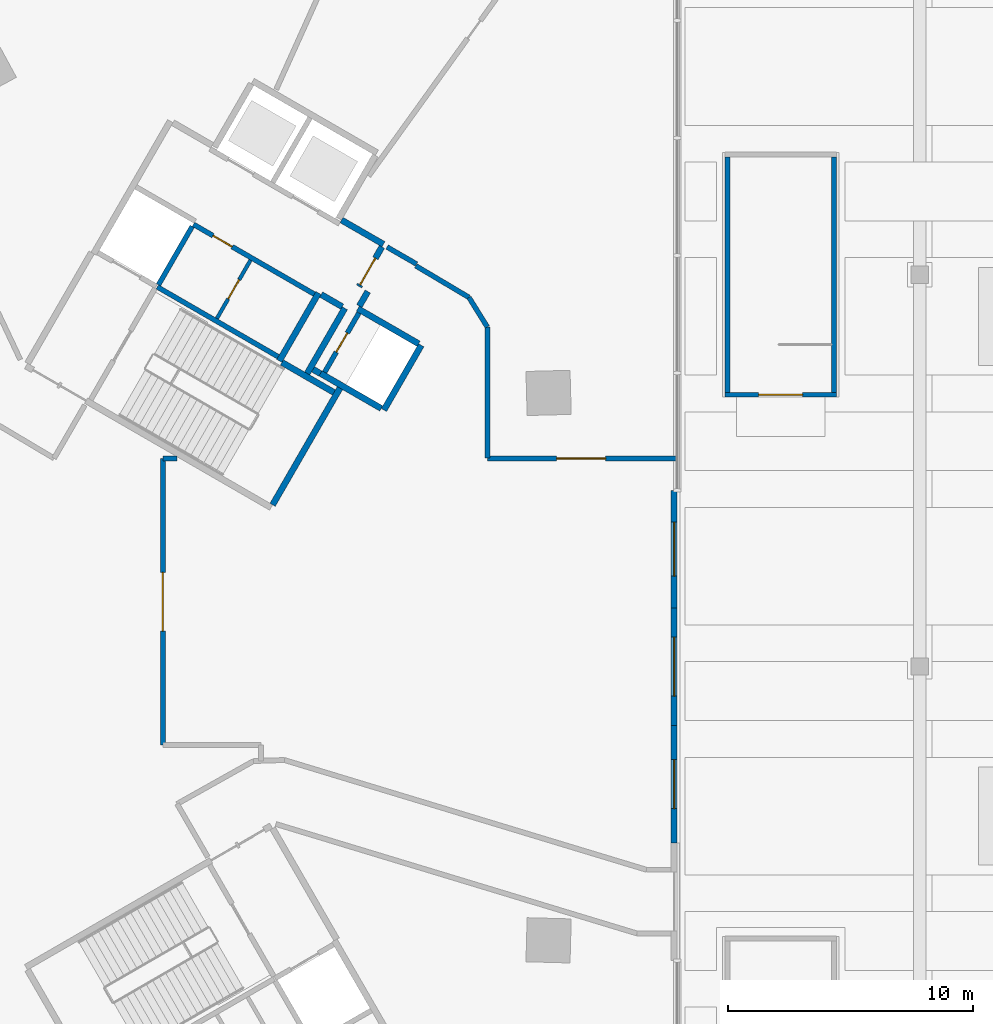
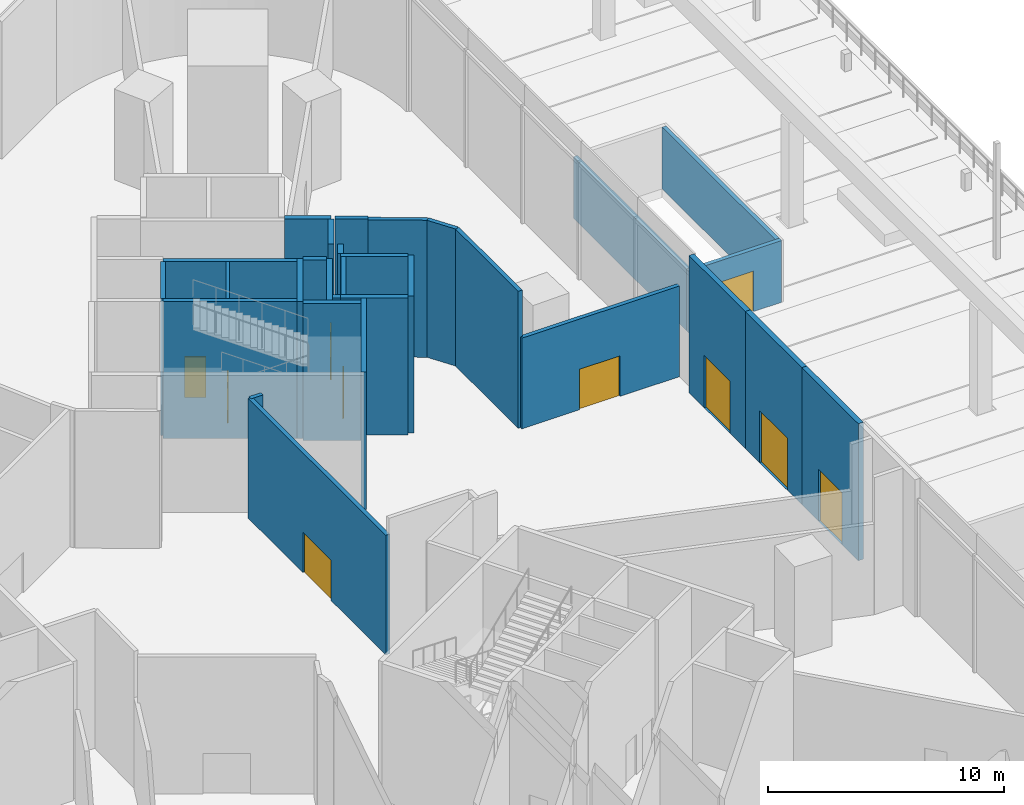
# One storey, part 22 of 41: 30 walls, 10 doors, 10 openings.
"""IFC4 building model written with IfcOpenShell, lengths in metres."""

from ifc_helpers import new_model, si_unit, direction, frame, frame_2d, origin, place, context, subcontext, project, spatial, rectangle, extrude, material, layer, layer_set, type_object, element, fill, save


model = new_model("IFC4")

# Units and contexts
model_context = context("Model", 3, precision=1e-05, world=origin(), true_north=direction((0.0, 1.0)))
body_context = subcontext(model_context, "Body", "Model", "MODEL_VIEW")
ifc_project = project(units=[si_unit("LENGTHUNIT", "METRE"), si_unit("AREAUNIT", "SQUARE_METRE"), si_unit("VOLUMEUNIT", "CUBIC_METRE"), si_unit("PLANEANGLEUNIT", "RADIAN"), si_unit("MASSUNIT", "GRAM", prefix="KILO")], contexts=[model_context])

# Site, building, storey
site_placement = place(None, origin())
site = spatial("IfcSite", under=ifc_project, at=site_placement, CompositionType="ELEMENT")
building_placement = place(site_placement, origin())
building = spatial("IfcBuilding", under=site, at=building_placement, Name="Tamra Quay Hotel Tower", CompositionType="ELEMENT")
storey_placement = place(building_placement, origin())
storey = spatial("IfcBuildingStorey", under=building, at=storey_placement, Name="L00", CompositionType="ELEMENT", Elevation=0.0)

# Wall
ifc_material_1 = material(Name="Concrete M70", Category="concrete")
ifc_layer_1 = layer(ifc_material_1, 0.199951171875)
ifc_layer_set_1 = layer_set([ifc_layer_1], Name="Concrete M70 core wall 200")
wall_type_1 = type_object("IfcWallType", Name="Concrete M70 core wall 200", PredefinedType="SHEAR", material=ifc_layer_set_1)
wall_1_placement = place(storey_placement, frame((5.774658203125, 15.501953125, 0.0), z_axis=(0.0, 0.0, 1.0), x_axis=(0.866020080793, -0.500009219579, 0.0)))
element("IfcWall", 1, at=wall_1_placement, inside=storey, type_object=wall_type_1, Name="CW2", PredefinedType="SHEAR", context=body_context, shape_type="SweptSolid", body=[
    extrude(rectangle(XDim=5.69921875, YDim=0.199951171875, at=frame_2d((2.849609375, 0.0))), origin(), (0.0, 0.0, 1.0), 7.10009765625),
])

# Wall, opening, door
wall_2_placement = place(storey_placement, frame((12.18505859375, 15.20703125, 0.0), z_axis=(0.0, 0.0, 1.0), x_axis=(-0.866020080793, 0.500009219579, 0.0)))
wall_2 = element("IfcWall", 2, at=wall_2_placement, inside=storey, type_object=wall_type_1, Name="CW2", PredefinedType="SHEAR", context=body_context, shape_type="SweptSolid", body=[
    extrude(rectangle(XDim=5.69921875, YDim=0.199951171875, at=frame_2d((2.849609375, 0.0))), origin(), (0.0, 0.0, 1.0), 7.10009765625),
])
opening_1_placement = place(wall_2_placement, frame((3.8740234375, 0.0, 0.0)))
opening_1 = element("IfcOpeningElement", 3, at=opening_1_placement, cuts=wall_2, Name="Opening D2", PredefinedType="OPENING", context=body_context, shape_type="SweptSolid", body=[
    extrude(rectangle(XDim=0.89990234375, YDim=2.10009765625, at=frame_2d((0.449951171875, 1.050048828125))), frame((0.0, 0.10986328125, 0.0), z_axis=(0.0, -1.0, 0.0), x_axis=(1.0, 0.0, 0.0)), (0.0, 0.0, 1.0), 0.219970703125),
])
ifc_material_2 = material(Name="Core door D2 900x2100 RH")
door_type_1 = type_object("IfcDoorType", Name="Core door D2 900x2100 RH", OperationType="NOTDEFINED", PredefinedType="DOOR", material=ifc_material_2)
door_1_placement = place(opening_1_placement, origin())
door_1 = element("IfcDoor", 4, at=door_1_placement, inside=storey, type_object=door_type_1, Name="D2", OperationType="SINGLE_SWING_RIGHT", OverallHeight=2.10009765625, OverallWidth=0.89990234375, PredefinedType="DOOR", context=body_context, shape_type="SweptSolid", body=[
    extrude(rectangle(XDim=0.89990234375, YDim=2.10009765625, at=frame_2d((0.449951171875, 1.050048828125))), frame((0.0, 0.02490234375, 0.0), z_axis=(0.0, -1.0, 0.0), x_axis=(1.0, 0.0, 0.0)), (0.0, 0.0, 1.0), 0.050048828125),
])
fill(opening_1, door_1)

wall_3_placement = place(storey_placement, frame((14.0078125, 14.442138671875, 0.0), z_axis=(0.0, 0.0, 1.0), x_axis=(-0.499986818241, -0.866033014143, 0.0)))
wall_3 = element("IfcWall", 5, at=wall_3_placement, inside=storey, type_object=wall_type_1, Name="CW2", PredefinedType="SHEAR", context=body_context, shape_type="SweptSolid", body=[
    extrude(rectangle(XDim=2.7978515625, YDim=0.199951171875, at=frame_2d((1.39892578125, 0.0))), origin(), (0.0, 0.0, 1.0), 7.10009765625),
])
opening_2_placement = place(wall_3_placement, frame((0.948974609375, 0.0, 0.0)))
opening_2 = element("IfcOpeningElement", 6, at=opening_2_placement, cuts=wall_3, Name="Opening D1", PredefinedType="OPENING", context=body_context, shape_type="SweptSolid", body=[
    extrude(rectangle(XDim=0.89990234375, YDim=2.10009765625, at=frame_2d((0.449951171875, 1.050048828125))), frame((0.0, 0.10986328125, 0.0), z_axis=(0.0, -1.0, 0.0), x_axis=(1.0, 0.0, 0.0)), (0.0, 0.0, 1.0), 0.219970703125),
])
ifc_material_3 = material(Name="Core door D1 900x2100 LH")
door_type_2 = type_object("IfcDoorType", Name="Core door D1 900x2100 LH", OperationType="NOTDEFINED", PredefinedType="DOOR", material=ifc_material_3)
door_2_placement = place(opening_2_placement, origin())
door_2 = element("IfcDoor", 7, at=door_2_placement, inside=storey, type_object=door_type_2, Name="D1", OperationType="SINGLE_SWING_LEFT", OverallHeight=2.10009765625, OverallWidth=0.89990234375, PredefinedType="DOOR", context=body_context, shape_type="SweptSolid", body=[
    extrude(rectangle(XDim=0.89990234375, YDim=2.10009765625, at=frame_2d((0.449951171875, 1.050048828125))), frame((0.0, 0.02490234375, 0.0), z_axis=(0.0, -1.0, 0.0), x_axis=(1.0, 0.0, 0.0)), (0.0, 0.0, 1.0), 0.050048828125),
])
fill(opening_2, door_2)

# Walls
wall_4_placement = place(storey_placement, frame((7.199462890625, 17.969970703125, 0.0), z_axis=(0.0, 0.0, 1.0), x_axis=(-0.499968400327, -0.866043647095, 0.0)))
element("IfcWall", 8, at=wall_4_placement, inside=storey, type_object=wall_type_1, Name="CW2", PredefinedType="SHEAR", context=body_context, shape_type="SweptSolid", body=[
    extrude(rectangle(XDim=2.749755859375, YDim=0.199951171875, at=frame_2d((1.375, 0.0))), origin(), (0.0, 0.0, 1.0), 7.10009765625),
])
ifc_layer_2 = layer(ifc_material_1, 0.25)
ifc_layer_set_2 = layer_set([ifc_layer_2], Name="Concrete M70 core wall 250")
wall_type_2 = type_object("IfcWallType", Name="Concrete M70 core wall 250", PredefinedType="SHEAR", material=ifc_layer_set_2)
wall_5_placement = place(storey_placement, frame((13.237548828125, 11.3779296875, 0.0), z_axis=(0.0, 0.0, 1.0), x_axis=(-0.500008851346, -0.866020293397, 0.0)))
element("IfcWall", 9, at=wall_5_placement, inside=storey, type_object=wall_type_2, Name="CW1", PredefinedType="SHEAR", context=body_context, shape_type="SweptSolid", body=[
    extrude(rectangle(XDim=5.509765625, YDim=0.25, at=frame_2d((2.7548828125, 0.0))), origin(), (0.0, 0.0, 1.0), 7.10009765625),
])
wall_6_placement = place(storey_placement, frame((12.356689453125, 15.25244140625, 0.0), z_axis=(0.0, 0.0, 1.0), x_axis=(-0.500028443584, -0.866008981251, 0.0)))
element("IfcWall", 10, at=wall_6_placement, inside=storey, type_object=wall_type_2, Name="CW1", PredefinedType="SHEAR", context=body_context, shape_type="SweptSolid", body=[
    extrude(rectangle(XDim=3.199951171875, YDim=0.25, at=frame_2d((1.60009765625, 0.0))), origin(), (0.0, 0.0, 1.0), 7.10009765625),
])
wall_7_placement = place(storey_placement, frame((16.552001953125, 13.118896484375, 0.0), z_axis=(0.0, 0.0, 1.0), x_axis=(-0.499978833458, -0.866037623948, 0.0)))
element("IfcWall", 11, at=wall_7_placement, inside=storey, type_object=wall_type_2, Name="CW1", PredefinedType="SHEAR", context=body_context, shape_type="SweptSolid", body=[
    extrude(rectangle(XDim=3.050048828125, YDim=0.25, at=frame_2d((1.52490234375, 0.0))), origin(), (0.0, 0.0, 1.0), 7.10009765625),
])
wall_8_placement = place(storey_placement, frame((14.91845703125, 10.540283203125, 0.0), z_axis=(0.0, 0.0, 1.0), x_axis=(-0.866063538972, 0.499933942099, 0.0)))
element("IfcWall", 12, at=wall_8_placement, inside=storey, type_object=wall_type_2, Name="CW1", PredefinedType="SHEAR", context=body_context, shape_type="SweptSolid", body=[
    extrude(rectangle(XDim=2.86474609375, YDim=0.25, at=frame_2d((1.432373046875, 0.0))), origin(), (0.0, 0.0, 1.0), 7.10009765625),
])
wall_9_placement = place(storey_placement, frame((13.962646484375, 14.61376953125, 0.0), z_axis=(0.0, 0.0, 1.0), x_axis=(0.866042235819, -0.499970844928, 0.0)))
element("IfcWall", 13, at=wall_9_placement, inside=storey, type_object=wall_type_2, Name="CW1", PredefinedType="SHEAR", context=body_context, shape_type="SweptSolid", body=[
    extrude(rectangle(XDim=2.864501953125, YDim=0.25, at=frame_2d((1.43212890625, 0.0))), origin(), (0.0, 0.0, 1.0), 7.10009765625),
])
wall_10_placement = place(storey_placement, frame((11.887939453125, 11.960693359375, 0.0), z_axis=(0.0, 0.0, 1.0), x_axis=(0.500003324108, 0.866023484601, 0.0)))
element("IfcWall", 14, at=wall_10_placement, inside=storey, type_object=wall_type_2, Name="CW1", PredefinedType="SHEAR", context=body_context, shape_type="SweptSolid", body=[
    extrude(rectangle(XDim=3.0849609375, YDim=0.25, at=frame_2d((1.54248046875, 0.0))), origin(), (0.0, 0.0, 1.0), 7.10009765625),
])
wall_11_placement = place(storey_placement, frame((10.865234375, 12.41845703125, 0.0), z_axis=(0.0, 0.0, 1.0), x_axis=(0.866026229868, -0.499998569178, 0.0)))
element("IfcWall", 15, at=wall_11_placement, inside=storey, type_object=wall_type_2, Name="CW1", PredefinedType="SHEAR", context=body_context, shape_type="SweptSolid", body=[
    extrude(rectangle(XDim=2.44921875, YDim=0.25, at=frame_2d((1.224609375, 0.0))), origin(), (0.0, 0.0, 1.0), 7.10009765625),
])
wall_12_placement = place(storey_placement, frame((13.29736328125, 18.23095703125, 0.0), z_axis=(0.0, 0.0, 1.0), x_axis=(0.866043531843, -0.499968599967, 0.0)))
element("IfcWall", 16, at=wall_12_placement, inside=storey, type_object=wall_type_2, Name="CW1", PredefinedType="SHEAR", context=body_context, shape_type="SweptSolid", body=[
    extrude(rectangle(XDim=1.974853515625, YDim=0.25, at=frame_2d((0.9873046875, 0.0))), origin(), (0.0, 0.0, 1.0), 7.10009765625),
])

# Wall, opening, door
wall_13_placement = place(storey_placement, frame((14.94482421875, 17.13525390625, 0.0), z_axis=(0.0, 0.0, 1.0), x_axis=(-0.499983108224, -0.866035156036, 0.0)))
wall_13 = element("IfcWall", 17, at=wall_13_placement, inside=storey, type_object=wall_type_2, Name="CW1", PredefinedType="SHEAR", context=body_context, shape_type="SweptSolid", body=[
    extrude(rectangle(XDim=1.86474609375, YDim=0.25, at=frame_2d((0.932373046875, 0.0))), origin(), (0.0, 0.0, 1.0), 7.10009765625),
])
opening_3_placement = place(wall_13_placement, frame((0.53466796875, 0.0, 0.0)))
opening_3 = element("IfcOpeningElement", 18, at=opening_3_placement, cuts=wall_13, Name="Opening FD3", PredefinedType="OPENING", context=body_context, shape_type="SweptSolid", body=[
    extrude(rectangle(XDim=1.25, YDim=2.10009765625, at=frame_2d((0.625, 1.050048828125))), frame((0.0, 0.135009765625, 0.0), z_axis=(0.0, -1.0, 0.0), x_axis=(1.0, 0.0, 0.0)), (0.0, 0.0, 1.0), 0.27001953125),
])
ifc_material_4 = material(Name="Core door FD3 1250x2100 LH")
door_type_3 = type_object("IfcDoorType", Name="Core door FD3 1250x2100 LH", OperationType="NOTDEFINED", PredefinedType="DOOR", material=ifc_material_4)
door_3_placement = place(opening_3_placement, origin())
door_3 = element("IfcDoor", 19, at=door_3_placement, inside=storey, type_object=door_type_3, Name="FD3", OperationType="SINGLE_SWING_LEFT", OverallHeight=2.10009765625, OverallWidth=1.25, PredefinedType="DOOR", context=body_context, shape_type="SweptSolid", body=[
    extrude(rectangle(XDim=1.25, YDim=2.10009765625, at=frame_2d((0.625, 1.050048828125))), frame((0.0, 0.02490234375, 0.0), z_axis=(0.0, -1.0, 0.0), x_axis=(1.0, 0.0, 0.0)), (0.0, 0.0, 1.0), 0.050048828125),
])
fill(opening_3, door_3)

# Walls
wall_14_placement = place(storey_placement, frame((13.322021484375, 14.695068359375, 0.0), z_axis=(0.0, 0.0, 1.0), x_axis=(-0.866017078145, 0.500014420154, 0.0)))
element("IfcWall", 20, at=wall_14_placement, inside=storey, type_object=wall_type_2, Name="CW1", PredefinedType="SHEAR", context=body_context, shape_type="SweptSolid", body=[
    extrude(rectangle(XDim=0.9892578125, YDim=0.25, at=frame_2d((0.49462890625, 0.0))), origin(), (0.0, 0.0, 1.0), 7.10009765625),
])
wall_15_placement = place(storey_placement, frame((14.36767578125, 15.3154296875, 0.0), z_axis=(0.0, 0.0, 1.0), x_axis=(-0.499897359611, -0.866084655132, 0.0)))
element("IfcWall", 21, at=wall_15_placement, inside=storey, type_object=wall_type_2, Name="CW1", PredefinedType="SHEAR", context=body_context, shape_type="SweptSolid", body=[
    extrude(rectangle(XDim=0.684814453125, YDim=0.25, at=frame_2d((0.34228515625, 0.0))), origin(), (0.0, 0.0, 1.0), 7.10009765625),
])
wall_16_placement = place(storey_placement, frame((12.4326171875, 11.9638671875, 0.0), z_axis=(0.0, 0.0, 1.0), x_axis=(-0.866055875208, 0.499947218231, 0.0)))
element("IfcWall", 22, at=wall_16_placement, inside=storey, type_object=wall_type_2, Name="CW1", PredefinedType="SHEAR", context=body_context, shape_type="SweptSolid", body=[
    extrude(rectangle(XDim=0.3447265625, YDim=0.25, at=frame_2d((0.17236328125, 0.0))), origin(), (0.0, 0.0, 1.0), 7.10009765625),
])
ifc_layer_3 = layer(ifc_material_1, 0.199951171875)
ifc_layer_set_3 = layer_set([ifc_layer_3], Name="Concrete M70 stair enclosure wall 200")
wall_type_3 = type_object("IfcWallType", Name="Concrete M70 stair enclosure wall 200", PredefinedType="SOLIDWALL", material=ifc_layer_set_3)
for number, where, z_axis, x_axis, name in (
    (23, (29.050048828125, 11.199951171875, 0.0), (0.0, 0.0, 1.0), (0.0, 1.0, 0.0), "SEW"),
    (24, (33.39990234375, 11.199951171875, 0.0), (0.0, 0.0, 1.0), (0.0, 1.0, 0.0), "SEW"),
):
    element("IfcWall", number, at=place(storey_placement, frame(where, z_axis=z_axis, x_axis=x_axis)), inside=storey, type_object=wall_type_3, Name=name, PredefinedType="SOLIDWALL", context=body_context, shape_type="SweptSolid", body=[
        extrude(rectangle(XDim=9.60009765625, YDim=0.199951171875, at=frame_2d((4.800048828125, 0.0))), origin(), (0.0, 0.0, 1.0), 3.199951171875),
    ])

# Wall, opening, door
wall_17_placement = place(storey_placement, frame((33.5, 11.10009765625, 0.0), z_axis=(0.0, 0.0, 1.0), x_axis=(-1.0, 0.0, 0.0)))
wall_17 = element("IfcWall", 25, at=wall_17_placement, inside=storey, type_object=wall_type_3, Name="SEW", PredefinedType="SOLIDWALL", context=body_context, shape_type="SweptSolid", body=[
    extrude(rectangle(XDim=4.550048828125, YDim=0.199951171875, at=frame_2d((2.27490234375, 0.0))), origin(), (0.0, 0.0, 1.0), 3.199951171875),
])
opening_4_placement = place(wall_17_placement, frame((1.375, 0.0, 0.0)))
opening_4 = element("IfcOpeningElement", 26, at=opening_4_placement, cuts=wall_17, Name="Opening SD2", PredefinedType="OPENING", context=body_context, shape_type="SweptSolid", body=[
    extrude(rectangle(XDim=1.800048828125, YDim=2.10009765625, at=frame_2d((0.89990234375, 1.050048828125))), frame((0.0, 0.10986328125, 0.0), z_axis=(0.0, -1.0, 0.0), x_axis=(1.0, 0.0, 0.0)), (0.0, 0.0, 1.0), 0.219970703125),
])
ifc_material_5 = material(Name="Stair discharge door 1800 x 2100")
door_type_4 = type_object("IfcDoorType", Name="Stair discharge door 1800 x 2100", OperationType="DOUBLE_DOOR_SINGLE_SWING", PredefinedType="DOOR", material=ifc_material_5)
door_4_placement = place(opening_4_placement, origin())
door_4 = element("IfcDoor", 27, at=door_4_placement, inside=storey, type_object=door_type_4, Name="SD2", OperationType="DOUBLE_DOOR_SINGLE_SWING", OverallHeight=2.10009765625, OverallWidth=1.800048828125, PredefinedType="DOOR", context=body_context, shape_type="SweptSolid", body=[
    extrude(rectangle(XDim=1.800048828125, YDim=2.10009765625, at=frame_2d((0.89990234375, 1.050048828125))), frame((0.0, 0.02490234375, 0.0), z_axis=(0.0, -1.0, 0.0), x_axis=(1.0, 0.0, 0.0)), (0.0, 0.0, 1.0), 0.050048828125),
])
fill(opening_4, door_4)

ifc_material_6 = material(Name="Blockwork", Category="masonry")
ifc_layer_4 = layer(ifc_material_6, 0.14990234375)
ifc_layer_set_4 = layer_set([ifc_layer_4], Name="Core partition block 150")
wall_type_4 = type_object("IfcWallType", Name="Core partition block 150", PredefinedType="PARTITIONING", material=ifc_layer_set_4)
wall_18_placement = place(storey_placement, frame((8.20654296875, 14.214111328125, 0.0), z_axis=(0.0, 0.0, 1.0), x_axis=(0.499922376475, 0.866070215109, 0.0)))
wall_18 = element("IfcWall", 28, at=wall_18_placement, inside=storey, type_object=wall_type_4, Name="CP1", PredefinedType="PARTITIONING", context=body_context, shape_type="SweptSolid", body=[
    extrude(rectangle(XDim=2.74853515625, YDim=0.14990234375, at=frame_2d((1.374267578125, 0.0))), origin(), (0.0, 0.0, 1.0), 7.10009765625),
])
opening_5_placement = place(wall_18_placement, frame((0.92431640625, 0.0, 0.0)))
opening_5 = element("IfcOpeningElement", 29, at=opening_5_placement, cuts=wall_18, Name="Opening D2", PredefinedType="OPENING", context=body_context, shape_type="SweptSolid", body=[
    extrude(rectangle(XDim=0.89990234375, YDim=2.10009765625, at=frame_2d((0.449951171875, 1.050048828125))), frame((0.0, 0.0849609375, 0.0), z_axis=(0.0, -1.0, 0.0), x_axis=(1.0, 0.0, 0.0)), (0.0, 0.0, 1.0), 0.169921875),
])
door_5_placement = place(opening_5_placement, origin())
door_5 = element("IfcDoor", 30, at=door_5_placement, inside=storey, type_object=door_type_1, Name="D2", OperationType="SINGLE_SWING_RIGHT", OverallHeight=2.10009765625, OverallWidth=0.89990234375, PredefinedType="DOOR", context=body_context, shape_type="SweptSolid", body=[
    extrude(rectangle(XDim=0.89990234375, YDim=2.10009765625, at=frame_2d((0.449951171875, 1.050048828125))), frame((0.0, 0.02490234375, 0.0), z_axis=(0.0, -1.0, 0.0), x_axis=(1.0, 0.0, 0.0)), (0.0, 0.0, 1.0), 0.050048828125),
])
fill(opening_5, door_5)

ifc_material_7 = material(Name="Blockwork masonry plastered", Category="masonry")
ifc_layer_5 = layer(ifc_material_7, 0.25)
ifc_layer_set_5 = layer_set([ifc_layer_5], Name="EXTERNAL WALL 250")
wall_type_5 = type_object("IfcWallType", Name="EXTERNAL WALL 250", PredefinedType="SOLIDWALL", material=ifc_layer_set_5)
wall_19_placement = place(storey_placement, frame((26.875, -2.398193359375, 0.0), z_axis=(0.0, 0.0, 1.0), x_axis=(0.0, -1.0, 0.0)))
wall_19 = element("IfcWall", 31, at=wall_19_placement, inside=storey, type_object=wall_type_5, Name="EW1", PredefinedType="SOLIDWALL", context=body_context, shape_type="SweptSolid", body=[
    extrude(rectangle(XDim=4.79638671875, YDim=0.25, at=frame_2d((2.398193359375, 0.0))), origin(), (0.0, 0.0, 1.0), 7.10009765625),
])
opening_6_placement = place(wall_19_placement, frame((1.398193359375, 0.0, 0.0)))
opening_6 = element("IfcOpeningElement", 32, at=opening_6_placement, cuts=wall_19, Name="Opening ED3", PredefinedType="OPENING", context=body_context, shape_type="SweptSolid", body=[
    extrude(rectangle(XDim=2.0, YDim=2.699951171875, at=frame_2d((1.0, 1.35009765625))), frame((0.0, 0.135009765625, 0.0), z_axis=(0.0, -1.0, 0.0), x_axis=(1.0, 0.0, 0.0)), (0.0, 0.0, 1.0), 0.27001953125),
])
ifc_material_8 = material(Name="Aluminium door set dark grey", Category="aluminium")
door_type_5 = type_object("IfcDoorType", Name="ENTRANCE SWING DOOR PAIR 2000X2700", OperationType="DOUBLE_DOOR_DOUBLE_SWING", PredefinedType="DOOR", material=ifc_material_8)
door_6_placement = place(opening_6_placement, origin())
door_6 = element("IfcDoor", 33, at=door_6_placement, inside=storey, type_object=door_type_5, Name="ED3", OperationType="DOUBLE_DOOR_DOUBLE_SWING", OverallHeight=2.699951171875, OverallWidth=2.0, PredefinedType="DOOR", context=body_context, shape_type="SweptSolid", body=[
    extrude(rectangle(XDim=2.0, YDim=2.699951171875, at=frame_2d((1.0, 1.35009765625))), frame((0.0, 0.02490234375, 0.0), z_axis=(0.0, -1.0, 0.0), x_axis=(1.0, 0.0, 0.0)), (0.0, 0.0, 1.0), 0.050048828125),
])
fill(opening_6, door_6)

wall_20_placement = place(storey_placement, frame((26.875, 2.398193359375, 0.0), z_axis=(0.0, 0.0, 1.0), x_axis=(0.0, -1.0, 0.0)))
wall_20 = element("IfcWall", 34, at=wall_20_placement, inside=storey, type_object=wall_type_5, Name="EW1", PredefinedType="SOLIDWALL", context=body_context, shape_type="SweptSolid", body=[
    extrude(rectangle(XDim=4.79638671875, YDim=0.25, at=frame_2d((2.398193359375, 0.0))), origin(), (0.0, 0.0, 1.0), 7.10009765625),
])
opening_7_placement = place(wall_20_placement, frame((1.1982421875, 0.0, 0.0)))
opening_7 = element("IfcOpeningElement", 35, at=opening_7_placement, cuts=wall_20, Name="Opening ED1", PredefinedType="OPENING", context=body_context, shape_type="SweptSolid", body=[
    extrude(rectangle(XDim=2.39990234375, YDim=2.699951171875, at=frame_2d((1.199951171875, 1.35009765625))), frame((0.0, 0.135009765625, 0.0), z_axis=(0.0, -1.0, 0.0), x_axis=(1.0, 0.0, 0.0)), (0.0, 0.0, 1.0), 0.27001953125),
])
door_type_6 = type_object("IfcDoorType", Name="ENTRANCE REVOLVING DOOR 2400X2700", OperationType="REVOLVING", PredefinedType="DOOR", material=ifc_material_8)
door_7_placement = place(opening_7_placement, origin())
door_7 = element("IfcDoor", 36, at=door_7_placement, inside=storey, type_object=door_type_6, Name="ED1", OperationType="REVOLVING", OverallHeight=2.699951171875, OverallWidth=2.39990234375, PredefinedType="DOOR", context=body_context, shape_type="SweptSolid", body=[
    extrude(rectangle(XDim=2.39990234375, YDim=2.699951171875, at=frame_2d((1.199951171875, 1.35009765625))), frame((0.0, 0.02490234375, 0.0), z_axis=(0.0, -1.0, 0.0), x_axis=(1.0, 0.0, 0.0)), (0.0, 0.0, 1.0), 0.050048828125),
])
fill(opening_7, door_7)

wall_21_placement = place(storey_placement, frame((26.875, 7.194580078125, 0.0), z_axis=(0.0, 0.0, 1.0), x_axis=(0.0, -1.0, 0.0)))
wall_21 = element("IfcWall", 37, at=wall_21_placement, inside=storey, type_object=wall_type_5, Name="EW1", PredefinedType="SOLIDWALL", context=body_context, shape_type="SweptSolid", body=[
    extrude(rectangle(XDim=4.79638671875, YDim=0.25, at=frame_2d((2.398193359375, 0.0))), origin(), (0.0, 0.0, 1.0), 7.10009765625),
])
opening_8_placement = place(wall_21_placement, frame((1.29833984375, 0.0, 0.0)))
opening_8 = element("IfcOpeningElement", 38, at=opening_8_placement, cuts=wall_21, Name="Opening ED2", PredefinedType="OPENING", context=body_context, shape_type="SweptSolid", body=[
    extrude(rectangle(XDim=2.199951171875, YDim=2.699951171875, at=frame_2d((1.10009765625, 1.35009765625))), frame((0.0, 0.135009765625, 0.0), z_axis=(0.0, -1.0, 0.0), x_axis=(1.0, 0.0, 0.0)), (0.0, 0.0, 1.0), 0.27001953125),
])
door_type_7 = type_object("IfcDoorType", Name="ENTRANCE SLIDING DOOR 2200X2700", OperationType="DOUBLE_DOOR_SINGLE_SWING", PredefinedType="DOOR", material=ifc_material_8)
door_8_placement = place(opening_8_placement, origin())
door_8 = element("IfcDoor", 39, at=door_8_placement, inside=storey, type_object=door_type_7, Name="ED2", OperationType="DOUBLE_DOOR_SINGLE_SWING", OverallHeight=2.699951171875, OverallWidth=2.199951171875, PredefinedType="DOOR", context=body_context, shape_type="SweptSolid", body=[
    extrude(rectangle(XDim=2.199951171875, YDim=2.699951171875, at=frame_2d((1.10009765625, 1.35009765625))), frame((0.0, 0.02490234375, 0.0), z_axis=(0.0, -1.0, 0.0), x_axis=(1.0, 0.0, 0.0)), (0.0, 0.0, 1.0), 0.050048828125),
])
fill(opening_8, door_8)

ifc_material_9 = material(Name="Partition party wall")
ifc_layer_6 = layer(ifc_material_9, 0.199951171875)
ifc_layer_set_6 = layer_set([ifc_layer_6], Name="Partition party wall")
wall_type_6 = type_object("IfcWallType", Name="Partition party wall", PredefinedType="PARTITIONING", material=ifc_layer_set_6)
wall_22_placement = place(storey_placement, frame((6.0, -3.199951171875, 0.0), z_axis=(0.0, 0.0, 1.0), x_axis=(0.0, 1.0, 0.0)))
wall_22 = element("IfcWall", 40, at=wall_22_placement, inside=storey, type_object=wall_type_6, Name="W-P", PredefinedType="PARTITIONING", context=body_context, shape_type="SweptSolid", body=[
    extrude(rectangle(XDim=11.699951171875, YDim=0.199951171875, at=frame_2d((5.85009765625, 0.0))), origin(), (0.0, 0.0, 1.0), 6.199951171875),
])
opening_9_placement = place(wall_22_placement, frame((4.64990234375, 0.0, 0.0)))
opening_9 = element("IfcOpeningElement", 41, at=opening_9_placement, cuts=wall_22, Name="Opening L00-D001", PredefinedType="OPENING", context=body_context, shape_type="SweptSolid", body=[
    extrude(rectangle(XDim=2.39990234375, YDim=2.10009765625, at=frame_2d((1.199951171875, 1.050048828125))), frame((0.0, 0.10986328125, 0.0), z_axis=(0.0, -1.0, 0.0), x_axis=(1.0, 0.0, 0.0)), (0.0, 0.0, 1.0), 0.219970703125),
])
ifc_material_10 = material(Name="Door double leaf 2400x2100")
door_type_8 = type_object("IfcDoorType", Name="Door double leaf 2400x2100", OperationType="DOUBLE_DOOR_SINGLE_SWING", PredefinedType="DOOR", material=ifc_material_10)
door_9_placement = place(opening_9_placement, frame((2.39990234375, 0.0, 0.0), z_axis=(0.0, 0.0, 1.0), x_axis=(-1.0, 0.0, 0.0)))
door_9 = element("IfcDoor", 42, at=door_9_placement, inside=storey, type_object=door_type_8, Name="L00-D001", OperationType="DOUBLE_DOOR_SINGLE_SWING", OverallHeight=2.10009765625, OverallWidth=2.39990234375, PredefinedType="DOOR", context=body_context, shape_type="SweptSolid", body=[
    extrude(rectangle(XDim=2.39990234375, YDim=2.10009765625, at=frame_2d((1.199951171875, 1.050048828125))), frame((0.0, 0.02490234375, 0.0), z_axis=(0.0, -1.0, 0.0), x_axis=(1.0, 0.0, 0.0)), (0.0, 0.0, 1.0), 0.050048828125),
])
fill(opening_9, door_9)

# Walls
wall_23_placement = place(storey_placement, frame((6.0, 8.5, 0.0), z_axis=(0.0, 0.0, 1.0), x_axis=(1.0, 0.0, 0.0)))
element("IfcWall", 43, at=wall_23_placement, inside=storey, type_object=wall_type_6, Name="W-P", PredefinedType="PARTITIONING", context=body_context, shape_type="SweptSolid", body=[
    extrude(rectangle(XDim=0.58203125, YDim=0.199951171875, at=frame_2d((0.291015625, 0.0))), origin(), (0.0, 0.0, 1.0), 6.199951171875),
])
wall_24_placement = place(storey_placement, frame((15.155517578125, 17.13037109375, 0.0), z_axis=(0.0, 0.0, 1.0), x_axis=(0.865983530368, -0.500072519872, 0.0)))
element("IfcWall", 44, at=wall_24_placement, inside=storey, type_object=wall_type_6, Name="W-P", PredefinedType="PARTITIONING", context=body_context, shape_type="SweptSolid", body=[
    extrude(rectangle(XDim=1.388427734375, YDim=0.199951171875, at=frame_2d((0.6943359375, 0.0))), origin(), (0.0, 0.0, 1.0), 7.10009765625),
])
wall_25_placement = place(storey_placement, frame((16.330078125, 16.363037109375, 0.0), z_axis=(0.0, 0.0, 1.0), x_axis=(0.859673908033, -0.510843196928, 0.0)))
element("IfcWall", 45, at=wall_25_placement, inside=storey, type_object=wall_type_6, Name="W-P", PredefinedType="PARTITIONING", context=body_context, shape_type="SweptSolid", body=[
    extrude(rectangle(XDim=2.51953125, YDim=0.199951171875, at=frame_2d((1.259765625, 0.0))), origin(), (0.0, 0.0, 1.0), 7.10009765625),
])
wall_26_placement = place(storey_placement, frame((18.498046875, 15.073974609375, 0.0), z_axis=(0.0, 0.0, 1.0), x_axis=(0.527773353517, -0.849385240817, 0.0)))
element("IfcWall", 46, at=wall_26_placement, inside=storey, type_object=wall_type_6, Name="W-P", PredefinedType="PARTITIONING", context=body_context, shape_type="SweptSolid", body=[
    extrude(rectangle(XDim=1.421142578125, YDim=0.199951171875, at=frame_2d((0.71044921875, 0.0))), origin(), (0.0, 0.0, 1.0), 7.10009765625),
])
wall_27_placement = place(storey_placement, frame((19.2490234375, 8.510986328125, 0.0), z_axis=(0.0, 0.0, 1.0), x_axis=(0.0, 1.0, 0.0)))
element("IfcWall", 47, at=wall_27_placement, inside=storey, type_object=wall_type_6, Name="W-P", PredefinedType="PARTITIONING", context=body_context, shape_type="SweptSolid", body=[
    extrude(rectangle(XDim=5.35498046875, YDim=0.199951171875, at=frame_2d((2.677490234375, 0.0))), origin(), (0.0, 0.0, 1.0), 7.10009765625),
])

# Wall, opening, door
wall_28_placement = place(storey_placement, frame((19.260009765625, 8.5, 0.0), z_axis=(0.0, 0.0, 1.0), x_axis=(1.0, 0.0, 0.0)))
wall_28 = element("IfcWall", 48, at=wall_28_placement, inside=storey, type_object=wall_type_6, Name="W-P", PredefinedType="PARTITIONING", context=body_context, shape_type="SweptSolid", body=[
    extrude(rectangle(XDim=7.735107421875, YDim=0.199951171875, at=frame_2d((3.86767578125, 0.0))), origin(), (0.0, 0.0, 1.0), 4.699951171875),
])
opening_10_placement = place(wall_28_placement, frame((2.820068359375, 0.0, 0.0)))
opening_10 = element("IfcOpeningElement", 49, at=opening_10_placement, cuts=wall_28, Name="Opening L00-D012", PredefinedType="OPENING", context=body_context, shape_type="SweptSolid", body=[
    extrude(rectangle(XDim=2.0, YDim=2.10009765625, at=frame_2d((1.0, 1.050048828125))), frame((0.0, 0.10986328125, 0.0), z_axis=(0.0, -1.0, 0.0), x_axis=(1.0, 0.0, 0.0)), (0.0, 0.0, 1.0), 0.219970703125),
])
ifc_material_11 = material(Name="Door double leaf 2000x2100")
door_type_9 = type_object("IfcDoorType", Name="Door double leaf 2000x2100", OperationType="DOUBLE_DOOR_SINGLE_SWING", PredefinedType="DOOR", material=ifc_material_11)
door_10_placement = place(opening_10_placement, origin())
door_10 = element("IfcDoor", 50, at=door_10_placement, inside=storey, type_object=door_type_9, Name="L00-D012", OperationType="DOUBLE_DOOR_SINGLE_SWING", OverallHeight=2.10009765625, OverallWidth=2.0, PredefinedType="DOOR", context=body_context, shape_type="SweptSolid", body=[
    extrude(rectangle(XDim=2.0, YDim=2.10009765625, at=frame_2d((1.0, 1.050048828125))), frame((0.0, 0.02490234375, 0.0), z_axis=(0.0, -1.0, 0.0), x_axis=(1.0, 0.0, 0.0)), (0.0, 0.0, 1.0), 0.050048828125),
])
fill(opening_10, door_10)

save(model, "model.ifc")
